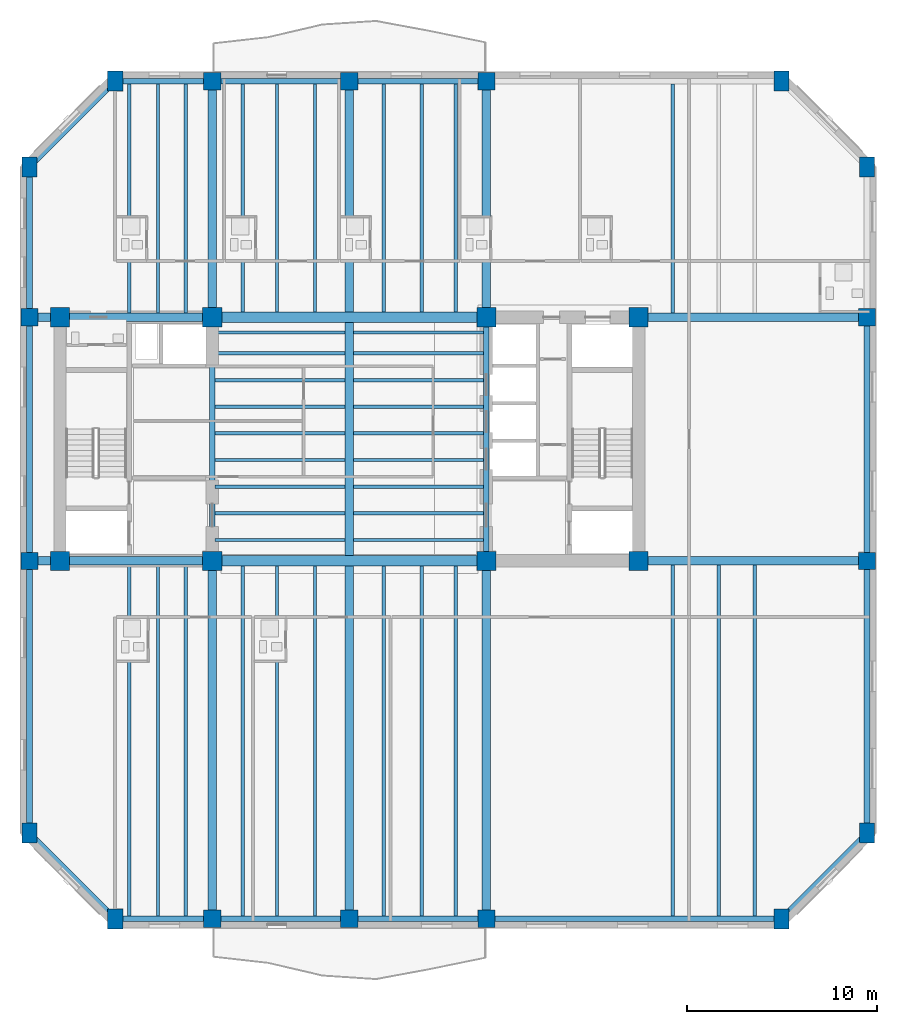
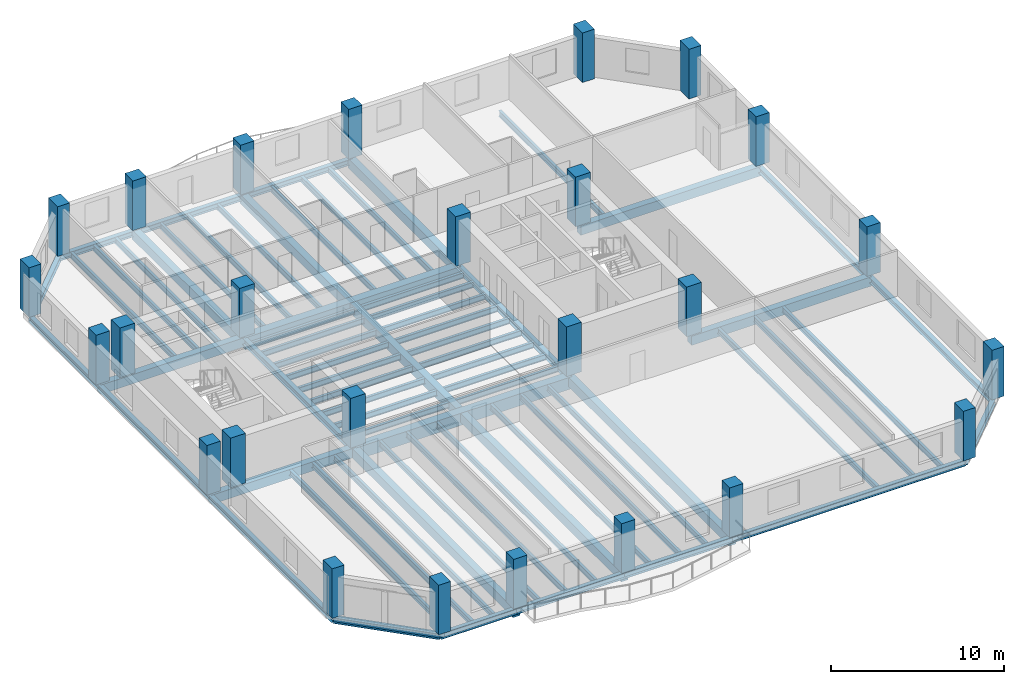
# One storey, part 1 of 9: 70 beams, 26 columns.
"""IFC4 building model written with IfcOpenShell, lengths in metres."""

from ifc_helpers import new_model, si_unit, direction, frame, origin, origin_2d, place, context, subcontext, project, spatial, rectangle, i_section, extrude, material, material_profile, profile_set, type_object, element, save


model = new_model("IFC4")

# Units and contexts
model_context = context("Model", 3, precision=1e-05, world=origin(), true_north=direction((0.0, 1.0)))
body_context = subcontext(model_context, "Body", "Model", "MODEL_VIEW")
ifc_project = project(units=[si_unit("LENGTHUNIT", "METRE"), si_unit("AREAUNIT", "SQUARE_METRE"), si_unit("VOLUMEUNIT", "CUBIC_METRE"), si_unit("PLANEANGLEUNIT", "RADIAN"), si_unit("MASSUNIT", "GRAM", prefix="KILO")], contexts=[model_context])

# Site, building, storey
site_placement = place(None, origin())
site = spatial("IfcSite", under=ifc_project, at=site_placement, CompositionType="ELEMENT")
building_placement = place(site_placement, origin())
building = spatial("IfcBuilding", under=site, at=building_placement, Name="Kranthara Brick Stack", CompositionType="ELEMENT")
storey_placement = place(building_placement, frame((0.0, 0.0, 148.300048828125)))
storey = spatial("IfcBuildingStorey", under=building, at=storey_placement, Name="L37", CompositionType="ELEMENT", Elevation=148.300048828125)

# Columns
ifc_material_1 = material(Name="Concrete C60/75", Category="concrete")
ifc_material_profile_1 = material_profile(ifc_material_1, rectangle(XDim=0.800048828125, YDim=1.050048828125, at=origin_2d()), Name="RC 800x1050")
ifc_profile_set_1 = profile_set([ifc_material_profile_1], Name="Concrete C60/75")
column_type_1 = type_object("IfcColumnType", Name="COL-CHAM-800x1050", PredefinedType="COLUMN", material=ifc_profile_set_1)
for number, where, z_axis, x_axis, name in (
    (1, (15.699951171875, 2.0, 0.0), (0.0, 0.0, 1.0), (1.0, 0.0, 0.0), "L37 Column 09"),
    (2, (15.699951171875, 46.0, 0.0), (0.0, 0.0, 1.0), (1.0, 0.0, 0.0), "L37 Column 10"),
    (3, (50.699951171875, 2.0, 0.0), (0.0, 0.0, 1.0), (1.0, 0.0, 0.0), "L37 Column 17"),
    (4, (50.699951171875, 46.0, 0.0), (0.0, 0.0, 1.0), (1.0, 0.0, 0.0), "L37 Column 18"),
    (5, (11.199951171875, 6.5, 0.0), (0.0, 0.0, 1.0), (1.0, 0.0, 0.0), "L37 Column 19"),
    (6, (55.199951171875, 6.5, 0.0), (0.0, 0.0, 1.0), (1.0, 0.0, 0.0), "L37 Column 20"),
    (7, (11.199951171875, 41.5, 0.0), (0.0, 0.0, 1.0), (1.0, 0.0, 0.0), "L37 Column 25"),
    (8, (55.199951171875, 41.5, 0.0), (0.0, 0.0, 1.0), (1.0, 0.0, 0.0), "L37 Column 26"),
):
    element("IfcColumn", number, at=place(storey_placement, frame(where, z_axis=z_axis, x_axis=x_axis)), inside=storey, type_object=column_type_1, Name=name, PredefinedType="COLUMN", context=body_context, shape_type="SweptSolid", body=[
        extrude(rectangle(XDim=0.800048828125, YDim=1.050048828125, at=origin_2d()), origin(), (0.0, 0.0, 1.0), 3.5),
    ])
ifc_material_2 = material(Name="Concrete C60/75", Category="concrete")
ifc_material_profile_2 = material_profile(ifc_material_2, rectangle(XDim=1.0, YDim=1.0, at=origin_2d()), Name="RC 1000x1000")
ifc_profile_set_2 = profile_set([ifc_material_profile_2], Name="Concrete C60/75")
column_type_2 = type_object("IfcColumnType", Name="COL-CORE-1000", PredefinedType="COLUMN", material=ifc_profile_set_2)
for number, where, z_axis, x_axis, name in (
    (9, (12.800048828125, 20.800048828125, 0.0), (0.0, 0.0, 1.0), (1.0, 0.0, 0.0), "L37 Column 01"),
    (10, (20.800048828125, 20.800048828125, 0.0), (0.0, 0.0, 1.0), (1.0, 0.0, 0.0), "L37 Column 02"),
    (11, (12.800048828125, 33.60009765625, 0.0), (0.0, 0.0, 1.0), (1.0, 0.0, 0.0), "L37 Column 03"),
    (12, (20.800048828125, 33.60009765625, 0.0), (0.0, 0.0, 1.0), (1.0, 0.0, 0.0), "L37 Column 04"),
    (13, (35.199951171875, 20.800048828125, 0.0), (0.0, 0.0, 1.0), (1.0, 0.0, 0.0), "L37 Column 05"),
    (14, (43.199951171875, 20.800048828125, 0.0), (0.0, 0.0, 1.0), (1.0, 0.0, 0.0), "L37 Column 06"),
    (15, (35.199951171875, 33.60009765625, 0.0), (0.0, 0.0, 1.0), (1.0, 0.0, 0.0), "L37 Column 07"),
    (16, (43.199951171875, 33.60009765625, 0.0), (0.0, 0.0, 1.0), (1.0, 0.0, 0.0), "L37 Column 08"),
):
    element("IfcColumn", number, at=place(storey_placement, frame(where, z_axis=z_axis, x_axis=x_axis)), inside=storey, type_object=column_type_2, Name=name, PredefinedType="COLUMN", context=body_context, shape_type="SweptSolid", body=[
        extrude(rectangle(XDim=1.0, YDim=1.0, at=origin_2d()), origin(), (0.0, 0.0, 1.0), 3.5),
    ])
ifc_material_3 = material(Name="Concrete C60/75", Category="concrete")
ifc_material_profile_3 = material_profile(ifc_material_3, rectangle(XDim=0.89990234375, YDim=0.89990234375, at=origin_2d()), Name="RC 900x900")
ifc_profile_set_3 = profile_set([ifc_material_profile_3], Name="Concrete C60/75")
column_type_3 = type_object("IfcColumnType", Name="COL-PER-900", PredefinedType="COLUMN", material=ifc_profile_set_3)
for number, where, z_axis, x_axis, name in (
    (17, (20.800048828125, 2.0, 0.0), (0.0, 0.0, 1.0), (1.0, 0.0, 0.0), "L37 Column 11"),
    (18, (20.800048828125, 46.0, 0.0), (0.0, 0.0, 1.0), (1.0, 0.0, 0.0), "L37 Column 12"),
    (19, (28.0, 2.0, 0.0), (0.0, 0.0, 1.0), (1.0, 0.0, 0.0), "L37 Column 13"),
    (20, (28.0, 46.0, 0.0), (0.0, 0.0, 1.0), (1.0, 0.0, 0.0), "L37 Column 14"),
    (21, (35.199951171875, 2.0, 0.0), (0.0, 0.0, 1.0), (1.0, 0.0, 0.0), "L37 Column 15"),
    (22, (35.199951171875, 46.0, 0.0), (0.0, 0.0, 1.0), (1.0, 0.0, 0.0), "L37 Column 16"),
    (23, (11.199951171875, 20.800048828125, 0.0), (0.0, 0.0, 1.0), (1.0, 0.0, 0.0), "L37 Column 21"),
    (24, (55.199951171875, 20.800048828125, 0.0), (0.0, 0.0, 1.0), (1.0, 0.0, 0.0), "L37 Column 22"),
    (25, (11.199951171875, 33.60009765625, 0.0), (0.0, 0.0, 1.0), (1.0, 0.0, 0.0), "L37 Column 23"),
    (26, (55.199951171875, 33.60009765625, 0.0), (0.0, 0.0, 1.0), (1.0, 0.0, 0.0), "L37 Column 24"),
):
    element("IfcColumn", number, at=place(storey_placement, frame(where, z_axis=z_axis, x_axis=x_axis)), inside=storey, type_object=column_type_3, Name=name, PredefinedType="COLUMN", context=body_context, shape_type="SweptSolid", body=[
        extrude(rectangle(XDim=0.89990234375, YDim=0.89990234375, at=origin_2d()), origin(), (0.0, 0.0, 1.0), 3.5),
    ])

# Beams
ifc_material_4 = material(Name="Concrete C50/60", Category="concrete")
ifc_material_profile_4 = material_profile(ifc_material_4, rectangle(XDim=0.550048828125, YDim=0.85009765625, at=origin_2d()), Name="RC 550x850")
ifc_profile_set_4 = profile_set([ifc_material_profile_4], Name="Concrete C50/60")
beam_type_1 = type_object("IfcBeamType", Name="BM-CPL-RC850", PredefinedType="LINTEL", material=ifc_profile_set_4)
for number, where, z_axis, x_axis, name in (
    (27, (20.800048828125, 20.800048828125, -0.72509765625), (1.0, 0.0, 0.0), (0.0, 1.0, 0.0), "L37 Core Coupling Beam 001"),
    (28, (20.800048828125, 33.60009765625, -0.72509765625), (1.0, 0.0, 0.0), (0.0, 1.0, 0.0), "L37 Core Coupling Beam 002"),
):
    element("IfcBeam", number, at=place(storey_placement, frame(where, z_axis=z_axis, x_axis=x_axis)), inside=storey, type_object=beam_type_1, Name=name, PredefinedType="LINTEL", context=body_context, shape_type="SweptSolid", body=[
        extrude(rectangle(XDim=0.550048828125, YDim=0.85009765625, at=origin_2d()), origin(), (0.0, 0.0, 1.0), 14.39990234375),
    ])
ifc_material_5 = material(Name="Post-tensioned concrete C45/55", Category="concrete")
ifc_material_profile_5 = material_profile(ifc_material_5, rectangle(XDim=0.449951171875, YDim=0.64990234375, at=origin_2d()), Name="PT 450x650")
ifc_profile_set_5 = profile_set([ifc_material_profile_5], Name="Post-tensioned concrete C45/55")
beam_type_2 = type_object("IfcBeamType", Name="BM-FLR-PT650", PredefinedType="BEAM", material=ifc_profile_set_5)
beam_1_placement = place(storey_placement, frame((20.800048828125, 2.0, -0.625), z_axis=(0.0, 1.0, 0.0), x_axis=(-1.0, 0.0, 0.0)))
element("IfcBeam", 29, at=beam_1_placement, inside=storey, type_object=beam_type_2, Name="L37 Primary Grid Girder 023", PredefinedType="BEAM", context=body_context, shape_type="SweptSolid", body=[
    extrude(rectangle(XDim=0.449951171875, YDim=0.64990234375, at=origin_2d()), origin(), (0.0, 0.0, 1.0), 18.800048828125),
])
beam_2_placement = place(storey_placement, frame((20.800048828125, 33.60009765625, -0.625), z_axis=(0.0, 1.0, 0.0), x_axis=(-1.0, 0.0, 0.0)))
element("IfcBeam", 30, at=beam_2_placement, inside=storey, type_object=beam_type_2, Name="L37 Primary Grid Girder 024", PredefinedType="BEAM", context=body_context, shape_type="SweptSolid", body=[
    extrude(rectangle(XDim=0.449951171875, YDim=0.64990234375, at=origin_2d()), origin(), (0.0, 0.0, 1.0), 12.39990234375),
])
beam_3_placement = place(storey_placement, frame((28.0, 2.0, -0.625), z_axis=(0.0, 1.0, 0.0), x_axis=(-1.0, 0.0, 0.0)))
element("IfcBeam", 31, at=beam_3_placement, inside=storey, type_object=beam_type_2, Name="L37 Primary Grid Girder 025", PredefinedType="BEAM", context=body_context, shape_type="SweptSolid", body=[
    extrude(rectangle(XDim=0.449951171875, YDim=0.64990234375, at=origin_2d()), origin(), (0.0, 0.0, 1.0), 18.52490234375),
])
beam_4_placement = place(storey_placement, frame((28.0, 21.074951171875, -0.625), z_axis=(0.0, 1.0, 0.0), x_axis=(-1.0, 0.0, 0.0)))
element("IfcBeam", 32, at=beam_4_placement, inside=storey, type_object=beam_type_2, Name="L37 Central Spine Girder 026", PredefinedType="BEAM", context=body_context, shape_type="SweptSolid", body=[
    extrude(rectangle(XDim=0.449951171875, YDim=0.64990234375, at=origin_2d()), origin(), (0.0, 0.0, 1.0), 12.25),
])
beam_5_placement = place(storey_placement, frame((28.0, 33.875, -0.625), z_axis=(0.0, 1.0, 0.0), x_axis=(-1.0, 0.0, 0.0)))
element("IfcBeam", 33, at=beam_5_placement, inside=storey, type_object=beam_type_2, Name="L37 Primary Grid Girder 027", PredefinedType="BEAM", context=body_context, shape_type="SweptSolid", body=[
    extrude(rectangle(XDim=0.449951171875, YDim=0.64990234375, at=origin_2d()), origin(), (0.0, 0.0, 1.0), 12.125),
])
beam_6_placement = place(storey_placement, frame((35.199951171875, 2.0, -0.625), z_axis=(0.0, 1.0, 0.0), x_axis=(-1.0, 0.0, 0.0)))
element("IfcBeam", 34, at=beam_6_placement, inside=storey, type_object=beam_type_2, Name="L37 Primary Grid Girder 028", PredefinedType="BEAM", context=body_context, shape_type="SweptSolid", body=[
    extrude(rectangle(XDim=0.449951171875, YDim=0.64990234375, at=origin_2d()), origin(), (0.0, 0.0, 1.0), 18.800048828125),
])
beam_7_placement = place(storey_placement, frame((35.199951171875, 33.60009765625, -0.625), z_axis=(0.0, 1.0, 0.0), x_axis=(-1.0, 0.0, 0.0)))
element("IfcBeam", 35, at=beam_7_placement, inside=storey, type_object=beam_type_2, Name="L37 Primary Grid Girder 029", PredefinedType="BEAM", context=body_context, shape_type="SweptSolid", body=[
    extrude(rectangle(XDim=0.449951171875, YDim=0.64990234375, at=origin_2d()), origin(), (0.0, 0.0, 1.0), 12.39990234375),
])
beam_8_placement = place(storey_placement, frame((11.199951171875, 20.800048828125, -0.625), z_axis=(1.0, 0.0, 0.0), x_axis=(0.0, 1.0, 0.0)))
element("IfcBeam", 36, at=beam_8_placement, inside=storey, type_object=beam_type_2, Name="L37 Primary Grid Girder 030", PredefinedType="BEAM", context=body_context, shape_type="SweptSolid", body=[
    extrude(rectangle(XDim=0.449951171875, YDim=0.64990234375, at=origin_2d()), origin(), (0.0, 0.0, 1.0), 9.60009765625),
])
beam_9_placement = place(storey_placement, frame((43.199951171875, 20.800048828125, -0.625), z_axis=(1.0, 0.0, 0.0), x_axis=(0.0, 1.0, 0.0)))
element("IfcBeam", 37, at=beam_9_placement, inside=storey, type_object=beam_type_2, Name="L37 Primary Grid Girder 031", PredefinedType="BEAM", context=body_context, shape_type="SweptSolid", body=[
    extrude(rectangle(XDim=0.449951171875, YDim=0.64990234375, at=origin_2d()), origin(), (0.0, 0.0, 1.0), 12.0),
])
beam_10_placement = place(storey_placement, frame((11.199951171875, 33.60009765625, -0.625), z_axis=(1.0, 0.0, 0.0), x_axis=(0.0, 1.0, 0.0)))
element("IfcBeam", 38, at=beam_10_placement, inside=storey, type_object=beam_type_2, Name="L37 Primary Grid Girder 032", PredefinedType="BEAM", context=body_context, shape_type="SweptSolid", body=[
    extrude(rectangle(XDim=0.449951171875, YDim=0.64990234375, at=origin_2d()), origin(), (0.0, 0.0, 1.0), 9.60009765625),
])
beam_11_placement = place(storey_placement, frame((43.199951171875, 33.60009765625, -0.625), z_axis=(1.0, 0.0, 0.0), x_axis=(0.0, 1.0, 0.0)))
element("IfcBeam", 39, at=beam_11_placement, inside=storey, type_object=beam_type_2, Name="L37 Primary Grid Girder 033", PredefinedType="BEAM", context=body_context, shape_type="SweptSolid", body=[
    extrude(rectangle(XDim=0.449951171875, YDim=0.64990234375, at=origin_2d()), origin(), (0.0, 0.0, 1.0), 12.0),
])
ifc_material_6 = material(Name="Steel S355", Category="steel")
ifc_material_profile_6 = material_profile(ifc_material_6, i_section(OverallWidth=0.179931640625, OverallDepth=0.39990234375, WebThickness=0.008544921875, FlangeThickness=0.013427734375, at=origin_2d()), Name="IPE 400")
ifc_profile_set_6 = profile_set([ifc_material_profile_6], Name="Steel S355")
beam_type_3 = type_object("IfcBeamType", Name="BM-JST-IPE400", PredefinedType="JOIST", material=ifc_profile_set_6)
for number, where, z_axis, x_axis, name in (
    (40, (20.949951171875, 21.89990234375, -0.5), (1.0, 0.0, 0.0), (0.0, 1.0, 0.0), "L37 Central Floor Joist 034"),
    (41, (28.22509765625, 21.89990234375, -0.5), (1.0, 0.0, 0.0), (0.0, 1.0, 0.0), "L37 Central Floor Joist 035"),
    (42, (20.949951171875, 23.300048828125, -0.5), (1.0, 0.0, 0.0), (0.0, 1.0, 0.0), "L37 Central Floor Joist 036"),
    (43, (28.22509765625, 23.300048828125, -0.5), (1.0, 0.0, 0.0), (0.0, 1.0, 0.0), "L37 Central Floor Joist 037"),
    (44, (20.949951171875, 24.699951171875, -0.5), (1.0, 0.0, 0.0), (0.0, 1.0, 0.0), "L37 Central Floor Joist 038"),
    (45, (28.22509765625, 24.699951171875, -0.5), (1.0, 0.0, 0.0), (0.0, 1.0, 0.0), "L37 Central Floor Joist 039"),
    (46, (20.949951171875, 26.10009765625, -0.5), (1.0, 0.0, 0.0), (0.0, 1.0, 0.0), "L37 Central Floor Joist 040"),
    (47, (28.22509765625, 26.10009765625, -0.5), (1.0, 0.0, 0.0), (0.0, 1.0, 0.0), "L37 Central Floor Joist 041"),
    (48, (20.949951171875, 27.5, -0.5), (1.0, 0.0, 0.0), (0.0, 1.0, 0.0), "L37 Central Floor Joist 042"),
    (49, (28.22509765625, 27.5, -0.5), (1.0, 0.0, 0.0), (0.0, 1.0, 0.0), "L37 Central Floor Joist 043"),
    (50, (20.949951171875, 28.89990234375, -0.5), (1.0, 0.0, 0.0), (0.0, 1.0, 0.0), "L37 Central Floor Joist 044"),
    (51, (28.22509765625, 28.89990234375, -0.5), (1.0, 0.0, 0.0), (0.0, 1.0, 0.0), "L37 Central Floor Joist 045"),
    (52, (20.949951171875, 30.300048828125, -0.5), (1.0, 0.0, 0.0), (0.0, 1.0, 0.0), "L37 Central Floor Joist 046"),
    (53, (28.22509765625, 30.300048828125, -0.5), (1.0, 0.0, 0.0), (0.0, 1.0, 0.0), "L37 Central Floor Joist 047"),
    (54, (20.949951171875, 31.699951171875, -0.5), (1.0, 0.0, 0.0), (0.0, 1.0, 0.0), "L37 Central Floor Joist 048"),
    (55, (28.22509765625, 31.699951171875, -0.5), (1.0, 0.0, 0.0), (0.0, 1.0, 0.0), "L37 Central Floor Joist 049"),
    (56, (20.949951171875, 32.800048828125, -0.5), (1.0, 0.0, 0.0), (0.0, 1.0, 0.0), "L37 Central Floor Joist 050"),
    (57, (28.22509765625, 32.800048828125, -0.5), (1.0, 0.0, 0.0), (0.0, 1.0, 0.0), "L37 Central Floor Joist 051"),
):
    element("IfcBeam", number, at=place(storey_placement, frame(where, z_axis=z_axis, x_axis=x_axis)), inside=storey, type_object=beam_type_3, Name=name, PredefinedType="JOIST", context=body_context, shape_type="SweptSolid", body=[
        extrude(i_section(OverallWidth=0.179931640625, OverallDepth=0.39990234375, WebThickness=0.008544921875, FlangeThickness=0.013427734375, at=origin_2d()), origin(), (0.0, 0.0, 1.0), 6.824951171875),
    ])
beam_12_placement = place(storey_placement, frame((16.449951171875, 2.14990234375, -0.5), z_axis=(0.0, 1.0, 0.0), x_axis=(-1.0, 0.0, 0.0)))
element("IfcBeam", 58, at=beam_12_placement, inside=storey, type_object=beam_type_3, Name="L37 South Wing Floor Joist 052", PredefinedType="JOIST", context=body_context, shape_type="SweptSolid", body=[
    extrude(i_section(OverallWidth=0.179931640625, OverallDepth=0.39990234375, WebThickness=0.008544921875, FlangeThickness=0.013427734375, at=origin_2d()), origin(), (0.0, 0.0, 1.0), 18.425048828125),
])
beam_13_placement = place(storey_placement, frame((16.449951171875, 33.824951171875, -0.5), z_axis=(0.0, 1.0, 0.0), x_axis=(-1.0, 0.0, 0.0)))
element("IfcBeam", 59, at=beam_13_placement, inside=storey, type_object=beam_type_3, Name="L37 North Wing Floor Joist 053", PredefinedType="JOIST", context=body_context, shape_type="SweptSolid", body=[
    extrude(i_section(OverallWidth=0.179931640625, OverallDepth=0.39990234375, WebThickness=0.008544921875, FlangeThickness=0.013427734375, at=origin_2d()), origin(), (0.0, 0.0, 1.0), 12.025146484375),
])
beam_14_placement = place(storey_placement, frame((17.949951171875, 2.14990234375, -0.5), z_axis=(0.0, 1.0, 0.0), x_axis=(-1.0, 0.0, 0.0)))
element("IfcBeam", 60, at=beam_14_placement, inside=storey, type_object=beam_type_3, Name="L37 South Wing Floor Joist 054", PredefinedType="JOIST", context=body_context, shape_type="SweptSolid", body=[
    extrude(i_section(OverallWidth=0.179931640625, OverallDepth=0.39990234375, WebThickness=0.008544921875, FlangeThickness=0.013427734375, at=origin_2d()), origin(), (0.0, 0.0, 1.0), 18.425048828125),
])
beam_15_placement = place(storey_placement, frame((17.949951171875, 33.824951171875, -0.5), z_axis=(0.0, 1.0, 0.0), x_axis=(-1.0, 0.0, 0.0)))
element("IfcBeam", 61, at=beam_15_placement, inside=storey, type_object=beam_type_3, Name="L37 North Wing Floor Joist 055", PredefinedType="JOIST", context=body_context, shape_type="SweptSolid", body=[
    extrude(i_section(OverallWidth=0.179931640625, OverallDepth=0.39990234375, WebThickness=0.008544921875, FlangeThickness=0.013427734375, at=origin_2d()), origin(), (0.0, 0.0, 1.0), 12.025146484375),
])
beam_16_placement = place(storey_placement, frame((19.39990234375, 2.14990234375, -0.5), z_axis=(0.0, 1.0, 0.0), x_axis=(-1.0, 0.0, 0.0)))
element("IfcBeam", 62, at=beam_16_placement, inside=storey, type_object=beam_type_3, Name="L37 South Wing Floor Joist 056", PredefinedType="JOIST", context=body_context, shape_type="SweptSolid", body=[
    extrude(i_section(OverallWidth=0.179931640625, OverallDepth=0.39990234375, WebThickness=0.008544921875, FlangeThickness=0.013427734375, at=origin_2d()), origin(), (0.0, 0.0, 1.0), 18.425048828125),
])
beam_17_placement = place(storey_placement, frame((19.39990234375, 33.824951171875, -0.5), z_axis=(0.0, 1.0, 0.0), x_axis=(-1.0, 0.0, 0.0)))
element("IfcBeam", 63, at=beam_17_placement, inside=storey, type_object=beam_type_3, Name="L37 North Wing Floor Joist 057", PredefinedType="JOIST", context=body_context, shape_type="SweptSolid", body=[
    extrude(i_section(OverallWidth=0.179931640625, OverallDepth=0.39990234375, WebThickness=0.008544921875, FlangeThickness=0.013427734375, at=origin_2d()), origin(), (0.0, 0.0, 1.0), 12.025146484375),
])
beam_18_placement = place(storey_placement, frame((22.39990234375, 2.14990234375, -0.5), z_axis=(0.0, 1.0, 0.0), x_axis=(-1.0, 0.0, 0.0)))
element("IfcBeam", 64, at=beam_18_placement, inside=storey, type_object=beam_type_3, Name="L37 South Wing Floor Joist 058", PredefinedType="JOIST", context=body_context, shape_type="SweptSolid", body=[
    extrude(i_section(OverallWidth=0.179931640625, OverallDepth=0.39990234375, WebThickness=0.008544921875, FlangeThickness=0.013427734375, at=origin_2d()), origin(), (0.0, 0.0, 1.0), 18.375),
])
beam_19_placement = place(storey_placement, frame((22.39990234375, 33.875, -0.5), z_axis=(0.0, 1.0, 0.0), x_axis=(-1.0, 0.0, 0.0)))
element("IfcBeam", 65, at=beam_19_placement, inside=storey, type_object=beam_type_3, Name="L37 North Wing Floor Joist 059", PredefinedType="JOIST", context=body_context, shape_type="SweptSolid", body=[
    extrude(i_section(OverallWidth=0.179931640625, OverallDepth=0.39990234375, WebThickness=0.008544921875, FlangeThickness=0.013427734375, at=origin_2d()), origin(), (0.0, 0.0, 1.0), 11.97509765625),
])
beam_20_placement = place(storey_placement, frame((24.199951171875, 2.14990234375, -0.5), z_axis=(0.0, 1.0, 0.0), x_axis=(-1.0, 0.0, 0.0)))
element("IfcBeam", 66, at=beam_20_placement, inside=storey, type_object=beam_type_3, Name="L37 South Wing Floor Joist 060", PredefinedType="JOIST", context=body_context, shape_type="SweptSolid", body=[
    extrude(i_section(OverallWidth=0.179931640625, OverallDepth=0.39990234375, WebThickness=0.008544921875, FlangeThickness=0.013427734375, at=origin_2d()), origin(), (0.0, 0.0, 1.0), 18.375),
])
beam_21_placement = place(storey_placement, frame((24.199951171875, 33.875, -0.5), z_axis=(0.0, 1.0, 0.0), x_axis=(-1.0, 0.0, 0.0)))
element("IfcBeam", 67, at=beam_21_placement, inside=storey, type_object=beam_type_3, Name="L37 North Wing Floor Joist 061", PredefinedType="JOIST", context=body_context, shape_type="SweptSolid", body=[
    extrude(i_section(OverallWidth=0.179931640625, OverallDepth=0.39990234375, WebThickness=0.008544921875, FlangeThickness=0.013427734375, at=origin_2d()), origin(), (0.0, 0.0, 1.0), 11.97509765625),
])
beam_22_placement = place(storey_placement, frame((26.199951171875, 2.14990234375, -0.5), z_axis=(0.0, 1.0, 0.0), x_axis=(-1.0, 0.0, 0.0)))
element("IfcBeam", 68, at=beam_22_placement, inside=storey, type_object=beam_type_3, Name="L37 South Wing Floor Joist 062", PredefinedType="JOIST", context=body_context, shape_type="SweptSolid", body=[
    extrude(i_section(OverallWidth=0.179931640625, OverallDepth=0.39990234375, WebThickness=0.008544921875, FlangeThickness=0.013427734375, at=origin_2d()), origin(), (0.0, 0.0, 1.0), 18.375),
])
beam_23_placement = place(storey_placement, frame((26.199951171875, 33.875, -0.5), z_axis=(0.0, 1.0, 0.0), x_axis=(-1.0, 0.0, 0.0)))
element("IfcBeam", 69, at=beam_23_placement, inside=storey, type_object=beam_type_3, Name="L37 North Wing Floor Joist 063", PredefinedType="JOIST", context=body_context, shape_type="SweptSolid", body=[
    extrude(i_section(OverallWidth=0.179931640625, OverallDepth=0.39990234375, WebThickness=0.008544921875, FlangeThickness=0.013427734375, at=origin_2d()), origin(), (0.0, 0.0, 1.0), 11.97509765625),
])
beam_24_placement = place(storey_placement, frame((29.800048828125, 2.14990234375, -0.5), z_axis=(0.0, 1.0, 0.0), x_axis=(-1.0, 0.0, 0.0)))
element("IfcBeam", 70, at=beam_24_placement, inside=storey, type_object=beam_type_3, Name="L37 South Wing Floor Joist 064", PredefinedType="JOIST", context=body_context, shape_type="SweptSolid", body=[
    extrude(i_section(OverallWidth=0.179931640625, OverallDepth=0.39990234375, WebThickness=0.008544921875, FlangeThickness=0.013427734375, at=origin_2d()), origin(), (0.0, 0.0, 1.0), 18.375),
])
beam_25_placement = place(storey_placement, frame((29.800048828125, 33.875, -0.5), z_axis=(0.0, 1.0, 0.0), x_axis=(-1.0, 0.0, 0.0)))
element("IfcBeam", 71, at=beam_25_placement, inside=storey, type_object=beam_type_3, Name="L37 North Wing Floor Joist 065", PredefinedType="JOIST", context=body_context, shape_type="SweptSolid", body=[
    extrude(i_section(OverallWidth=0.179931640625, OverallDepth=0.39990234375, WebThickness=0.008544921875, FlangeThickness=0.013427734375, at=origin_2d()), origin(), (0.0, 0.0, 1.0), 11.97509765625),
])
beam_26_placement = place(storey_placement, frame((31.800048828125, 2.14990234375, -0.5), z_axis=(0.0, 1.0, 0.0), x_axis=(-1.0, 0.0, 0.0)))
element("IfcBeam", 72, at=beam_26_placement, inside=storey, type_object=beam_type_3, Name="L37 South Wing Floor Joist 066", PredefinedType="JOIST", context=body_context, shape_type="SweptSolid", body=[
    extrude(i_section(OverallWidth=0.179931640625, OverallDepth=0.39990234375, WebThickness=0.008544921875, FlangeThickness=0.013427734375, at=origin_2d()), origin(), (0.0, 0.0, 1.0), 18.375),
])
beam_27_placement = place(storey_placement, frame((31.800048828125, 33.875, -0.5), z_axis=(0.0, 1.0, 0.0), x_axis=(-1.0, 0.0, 0.0)))
element("IfcBeam", 73, at=beam_27_placement, inside=storey, type_object=beam_type_3, Name="L37 North Wing Floor Joist 067", PredefinedType="JOIST", context=body_context, shape_type="SweptSolid", body=[
    extrude(i_section(OverallWidth=0.179931640625, OverallDepth=0.39990234375, WebThickness=0.008544921875, FlangeThickness=0.013427734375, at=origin_2d()), origin(), (0.0, 0.0, 1.0), 11.97509765625),
])
beam_28_placement = place(storey_placement, frame((33.60009765625, 2.14990234375, -0.5), z_axis=(0.0, 1.0, 0.0), x_axis=(-1.0, 0.0, 0.0)))
element("IfcBeam", 74, at=beam_28_placement, inside=storey, type_object=beam_type_3, Name="L37 South Wing Floor Joist 068", PredefinedType="JOIST", context=body_context, shape_type="SweptSolid", body=[
    extrude(i_section(OverallWidth=0.179931640625, OverallDepth=0.39990234375, WebThickness=0.008544921875, FlangeThickness=0.013427734375, at=origin_2d()), origin(), (0.0, 0.0, 1.0), 18.375),
])
beam_29_placement = place(storey_placement, frame((33.60009765625, 33.875, -0.5), z_axis=(0.0, 1.0, 0.0), x_axis=(-1.0, 0.0, 0.0)))
element("IfcBeam", 75, at=beam_29_placement, inside=storey, type_object=beam_type_3, Name="L37 North Wing Floor Joist 069", PredefinedType="JOIST", context=body_context, shape_type="SweptSolid", body=[
    extrude(i_section(OverallWidth=0.179931640625, OverallDepth=0.39990234375, WebThickness=0.008544921875, FlangeThickness=0.013427734375, at=origin_2d()), origin(), (0.0, 0.0, 1.0), 11.97509765625),
])
beam_30_placement = place(storey_placement, frame((45.0, 2.14990234375, -0.5), z_axis=(0.0, 1.0, 0.0), x_axis=(-1.0, 0.0, 0.0)))
element("IfcBeam", 76, at=beam_30_placement, inside=storey, type_object=beam_type_3, Name="L37 South Wing Floor Joist 070", PredefinedType="JOIST", context=body_context, shape_type="SweptSolid", body=[
    extrude(i_section(OverallWidth=0.179931640625, OverallDepth=0.39990234375, WebThickness=0.008544921875, FlangeThickness=0.013427734375, at=origin_2d()), origin(), (0.0, 0.0, 1.0), 18.425048828125),
])
beam_31_placement = place(storey_placement, frame((45.0, 33.824951171875, -0.5), z_axis=(0.0, 1.0, 0.0), x_axis=(-1.0, 0.0, 0.0)))
element("IfcBeam", 77, at=beam_31_placement, inside=storey, type_object=beam_type_3, Name="L37 North Wing Floor Joist 071", PredefinedType="JOIST", context=body_context, shape_type="SweptSolid", body=[
    extrude(i_section(OverallWidth=0.179931640625, OverallDepth=0.39990234375, WebThickness=0.008544921875, FlangeThickness=0.013427734375, at=origin_2d()), origin(), (0.0, 0.0, 1.0), 12.025146484375),
])
for number, where, z_axis, x_axis, name in (
    (78, (47.39990234375, 2.14990234375, -0.5), (0.0, 1.0, 0.0), (-1.0, 0.0, 0.0), "L37 South Wing Floor Joist 072"),
    (79, (49.300048828125, 2.14990234375, -0.5), (0.0, 1.0, 0.0), (-1.0, 0.0, 0.0), "L37 South Wing Floor Joist 074"),
):
    element("IfcBeam", number, at=place(storey_placement, frame(where, z_axis=z_axis, x_axis=x_axis)), inside=storey, type_object=beam_type_3, Name=name, PredefinedType="JOIST", context=body_context, shape_type="SweptSolid", body=[
        extrude(i_section(OverallWidth=0.179931640625, OverallDepth=0.39990234375, WebThickness=0.008544921875, FlangeThickness=0.013427734375, at=origin_2d()), origin(), (0.0, 0.0, 1.0), 18.425048828125),
    ])
ifc_material_7 = material(Name="Steel S355", Category="steel")
ifc_material_profile_7 = material_profile(ifc_material_7, i_section(OverallWidth=0.300048828125, OverallDepth=0.39990234375, WebThickness=0.013427734375, FlangeThickness=0.02392578125, at=origin_2d()), Name="HEB 400")
ifc_profile_set_7 = profile_set([ifc_material_profile_7], Name="Steel S355")
beam_type_4 = type_object("IfcBeamType", Name="BM-STL-HEB400", PredefinedType="SPANDREL", material=ifc_profile_set_7)
beam_32_placement = place(storey_placement, frame((15.699951171875, 2.0, -0.5), z_axis=(1.0, 0.0, 0.0), x_axis=(0.0, 1.0, 0.0)))
element("IfcBeam", 80, at=beam_32_placement, inside=storey, type_object=beam_type_4, Name="L37 Perimeter Spandrel Beam 005", PredefinedType="SPANDREL", context=body_context, shape_type="SweptSolid", body=[
    extrude(i_section(OverallWidth=0.300048828125, OverallDepth=0.39990234375, WebThickness=0.013427734375, FlangeThickness=0.02392578125, at=origin_2d()), origin(), (0.0, 0.0, 1.0), 5.10009765625),
])
for number, where, z_axis, x_axis, name in (
    (81, (20.800048828125, 2.0, -0.5), (1.0, 0.0, 0.0), (0.0, 1.0, 0.0), "L37 Perimeter Spandrel Beam 006"),
    (82, (28.0, 2.0, -0.5), (1.0, 0.0, 0.0), (0.0, 1.0, 0.0), "L37 Perimeter Spandrel Beam 007"),
):
    element("IfcBeam", number, at=place(storey_placement, frame(where, z_axis=z_axis, x_axis=x_axis)), inside=storey, type_object=beam_type_4, Name=name, PredefinedType="SPANDREL", context=body_context, shape_type="SweptSolid", body=[
        extrude(i_section(OverallWidth=0.300048828125, OverallDepth=0.39990234375, WebThickness=0.013427734375, FlangeThickness=0.02392578125, at=origin_2d()), origin(), (0.0, 0.0, 1.0), 7.199951171875),
    ])
beam_33_placement = place(storey_placement, frame((35.199951171875, 2.0, -0.5), z_axis=(1.0, 0.0, 0.0), x_axis=(0.0, 1.0, 0.0)))
element("IfcBeam", 83, at=beam_33_placement, inside=storey, type_object=beam_type_4, Name="L37 Perimeter Spandrel Beam 008", PredefinedType="SPANDREL", context=body_context, shape_type="SweptSolid", body=[
    extrude(i_section(OverallWidth=0.300048828125, OverallDepth=0.39990234375, WebThickness=0.013427734375, FlangeThickness=0.02392578125, at=origin_2d()), origin(), (0.0, 0.0, 1.0), 15.5),
])
beam_34_placement = place(storey_placement, frame((15.699951171875, 46.0, -0.5), z_axis=(1.0, 0.0, 0.0), x_axis=(0.0, 1.0, 0.0)))
element("IfcBeam", 84, at=beam_34_placement, inside=storey, type_object=beam_type_4, Name="L37 Perimeter Spandrel Beam 009", PredefinedType="SPANDREL", context=body_context, shape_type="SweptSolid", body=[
    extrude(i_section(OverallWidth=0.300048828125, OverallDepth=0.39990234375, WebThickness=0.013427734375, FlangeThickness=0.02392578125, at=origin_2d()), origin(), (0.0, 0.0, 1.0), 5.10009765625),
])
for number, where, z_axis, x_axis, name in (
    (85, (20.800048828125, 46.0, -0.5), (1.0, 0.0, 0.0), (0.0, 1.0, 0.0), "L37 Perimeter Spandrel Beam 010"),
    (86, (28.0, 46.0, -0.5), (1.0, 0.0, 0.0), (0.0, 1.0, 0.0), "L37 Perimeter Spandrel Beam 011"),
):
    element("IfcBeam", number, at=place(storey_placement, frame(where, z_axis=z_axis, x_axis=x_axis)), inside=storey, type_object=beam_type_4, Name=name, PredefinedType="SPANDREL", context=body_context, shape_type="SweptSolid", body=[
        extrude(i_section(OverallWidth=0.300048828125, OverallDepth=0.39990234375, WebThickness=0.013427734375, FlangeThickness=0.02392578125, at=origin_2d()), origin(), (0.0, 0.0, 1.0), 7.199951171875),
    ])
beam_35_placement = place(storey_placement, frame((11.199951171875, 6.5, -0.5), z_axis=(0.0, 1.0, 0.0), x_axis=(-1.0, 0.0, 0.0)))
element("IfcBeam", 87, at=beam_35_placement, inside=storey, type_object=beam_type_4, Name="L37 Perimeter Spandrel Beam 013", PredefinedType="SPANDREL", context=body_context, shape_type="SweptSolid", body=[
    extrude(i_section(OverallWidth=0.300048828125, OverallDepth=0.39990234375, WebThickness=0.013427734375, FlangeThickness=0.02392578125, at=origin_2d()), origin(), (0.0, 0.0, 1.0), 14.300048828125),
])
beam_36_placement = place(storey_placement, frame((11.199951171875, 20.800048828125, -0.5), z_axis=(0.0, 1.0, 0.0), x_axis=(-1.0, 0.0, 0.0)))
element("IfcBeam", 88, at=beam_36_placement, inside=storey, type_object=beam_type_4, Name="L37 Perimeter Spandrel Beam 014", PredefinedType="SPANDREL", context=body_context, shape_type="SweptSolid", body=[
    extrude(i_section(OverallWidth=0.300048828125, OverallDepth=0.39990234375, WebThickness=0.013427734375, FlangeThickness=0.02392578125, at=origin_2d()), origin(), (0.0, 0.0, 1.0), 12.800048828125),
])
beam_37_placement = place(storey_placement, frame((11.199951171875, 33.60009765625, -0.5), z_axis=(0.0, 1.0, 0.0), x_axis=(-1.0, 0.0, 0.0)))
element("IfcBeam", 89, at=beam_37_placement, inside=storey, type_object=beam_type_4, Name="L37 Perimeter Spandrel Beam 015", PredefinedType="SPANDREL", context=body_context, shape_type="SweptSolid", body=[
    extrude(i_section(OverallWidth=0.300048828125, OverallDepth=0.39990234375, WebThickness=0.013427734375, FlangeThickness=0.02392578125, at=origin_2d()), origin(), (0.0, 0.0, 1.0), 7.89990234375),
])
beam_38_placement = place(storey_placement, frame((55.199951171875, 6.5, -0.5), z_axis=(0.0, 1.0, 0.0), x_axis=(-1.0, 0.0, 0.0)))
element("IfcBeam", 90, at=beam_38_placement, inside=storey, type_object=beam_type_4, Name="L37 Perimeter Spandrel Beam 016", PredefinedType="SPANDREL", context=body_context, shape_type="SweptSolid", body=[
    extrude(i_section(OverallWidth=0.300048828125, OverallDepth=0.39990234375, WebThickness=0.013427734375, FlangeThickness=0.02392578125, at=origin_2d()), origin(), (0.0, 0.0, 1.0), 14.300048828125),
])
beam_39_placement = place(storey_placement, frame((55.199951171875, 20.800048828125, -0.5), z_axis=(0.0, 1.0, 0.0), x_axis=(-1.0, 0.0, 0.0)))
element("IfcBeam", 91, at=beam_39_placement, inside=storey, type_object=beam_type_4, Name="L37 Perimeter Spandrel Beam 017", PredefinedType="SPANDREL", context=body_context, shape_type="SweptSolid", body=[
    extrude(i_section(OverallWidth=0.300048828125, OverallDepth=0.39990234375, WebThickness=0.013427734375, FlangeThickness=0.02392578125, at=origin_2d()), origin(), (0.0, 0.0, 1.0), 12.800048828125),
])
for number, where, z_axis, x_axis, name in (
    (92, (15.699951171875, 2.0, -0.5), (-0.707106781187, 0.707106781187, 0.0), (-0.707106781187, -0.707106781187, 0.0), "L37 Chamfer Corner Spandrel 019"),
    (93, (50.699951171875, 2.0, -0.5), (0.707106781187, 0.707106781187, 0.0), (-0.707106781187, 0.707106781187, 0.0), "L37 Chamfer Corner Spandrel 020"),
    (94, (15.699951171875, 46.0, -0.5), (-0.707106781187, -0.707106781187, 0.0), (0.707106781187, -0.707106781187, 0.0), "L37 Chamfer Corner Spandrel 021"),
):
    element("IfcBeam", number, at=place(storey_placement, frame(where, z_axis=z_axis, x_axis=x_axis)), inside=storey, type_object=beam_type_4, Name=name, PredefinedType="SPANDREL", context=body_context, shape_type="SweptSolid", body=[
        extrude(i_section(OverallWidth=0.300048828125, OverallDepth=0.39990234375, WebThickness=0.013427734375, FlangeThickness=0.02392578125, at=origin_2d()), origin(), (0.0, 0.0, 1.0), 6.364013671875),
    ])
ifc_material_8 = material(Name="Steel S355", Category="steel")
ifc_material_profile_8 = material_profile(ifc_material_8, i_section(OverallWidth=0.300048828125, OverallDepth=0.449951171875, WebThickness=0.013916015625, FlangeThickness=0.02587890625, at=origin_2d()), Name="HEB 450")
ifc_profile_set_8 = profile_set([ifc_material_profile_8], Name="Steel S355")
beam_type_5 = type_object("IfcBeamType", Name="BM-STL-HEB450", PredefinedType="SPANDREL", material=ifc_profile_set_8)
for number, where, z_axis, x_axis, name in (
    (95, (20.800048828125, 20.800048828125, -0.525146484375), (0.0, 1.0, 0.0), (-1.0, 0.0, 0.0), "L37 Core Edge Tie Beam 003"),
    (96, (35.199951171875, 20.800048828125, -0.525146484375), (0.0, 1.0, 0.0), (-1.0, 0.0, 0.0), "L37 Core Edge Tie Beam 004"),
):
    element("IfcBeam", number, at=place(storey_placement, frame(where, z_axis=z_axis, x_axis=x_axis)), inside=storey, type_object=beam_type_5, Name=name, PredefinedType="SPANDREL", context=body_context, shape_type="SweptSolid", body=[
        extrude(i_section(OverallWidth=0.300048828125, OverallDepth=0.449951171875, WebThickness=0.013916015625, FlangeThickness=0.02587890625, at=origin_2d()), origin(), (0.0, 0.0, 1.0), 12.800048828125),
    ])

save(model, "model.ifc")
